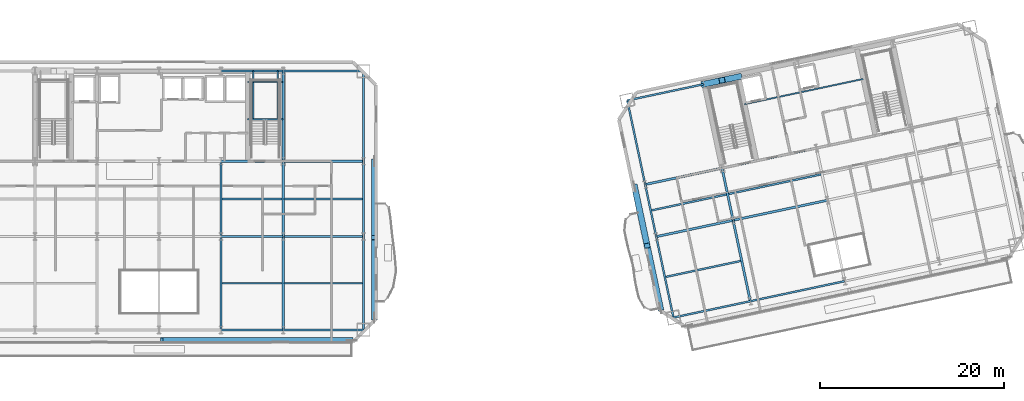
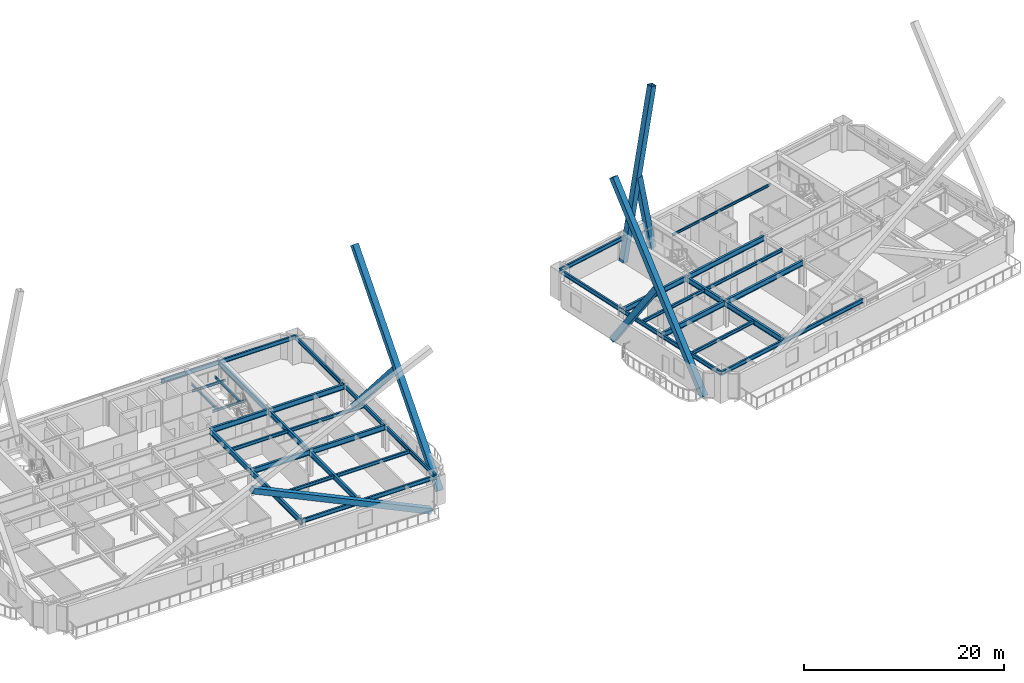
# One storey, part 5 of 22: 40 beams, 7 members.
"""IFC4 building model written with IfcOpenShell, lengths in metres."""

from ifc_helpers import new_model, si_unit, direction, frame, origin, origin_2d, place, context, subcontext, project, spatial, hollow_rectangle, i_section, extrude, material, material_profile, profile_set, type_object, element, save


model = new_model("IFC4")

# Units and contexts
model_context = context("Model", 3, precision=1e-05, world=origin(), true_north=direction((0.0, 1.0)))
body_context = subcontext(model_context, "Body", "Model", "MODEL_VIEW")
ifc_project = project(units=[si_unit("LENGTHUNIT", "METRE"), si_unit("AREAUNIT", "SQUARE_METRE"), si_unit("VOLUMEUNIT", "CUBIC_METRE"), si_unit("PLANEANGLEUNIT", "RADIAN"), si_unit("MASSUNIT", "GRAM", prefix="KILO")], contexts=[model_context])

# Site, building, storey
site_placement = place(None, origin())
site = spatial("IfcSite", under=ifc_project, at=site_placement, CompositionType="ELEMENT")
building_placement = place(site_placement, origin())
building = spatial("IfcBuilding", under=site, at=building_placement, Name="Haevon Station Towers", CompositionType="ELEMENT")
storey_placement = place(building_placement, frame((0.0, 0.0, 93.300048828125)))
storey = spatial("IfcBuildingStorey", under=building, at=storey_placement, Name="L24", CompositionType="ELEMENT", Elevation=93.300048828125)

# Beams
ifc_material_1 = material(Name="Steel S355", Category="steel")
ifc_material_profile_1 = material_profile(ifc_material_1, i_section(OverallWidth=0.25, OverallDepth=0.64990234375, WebThickness=0.012939453125, FlangeThickness=0.02197265625, at=origin_2d()), Name="H-650x250x13x22")
ifc_profile_set_1 = profile_set([ifc_material_profile_1], Name="Steel S355")
beam_type_1 = type_object("IfcBeamType", Name="BM-G650", PredefinedType="BEAM", material=ifc_profile_set_1)
beam_1_placement = place(storey_placement, frame((44.25, 30.0, 2.724853515625), z_axis=(1.0, 0.0, 0.0), x_axis=(0.0, 1.0, 0.0)))
element("IfcBeam", 1, at=beam_1_placement, inside=storey, type_object=beam_type_1, Name="BM-T1U-L24-02-05", PredefinedType="BEAM", context=body_context, shape_type="SweptSolid", body=[
    extrude(i_section(OverallWidth=0.25, OverallDepth=0.64990234375, WebThickness=0.012939453125, FlangeThickness=0.02197265625, at=origin_2d()), origin(), (0.0, 0.0, 1.0), 6.75),
])
beam_2_placement = place(storey_placement, frame((51.0, 30.0, 2.724853515625), z_axis=(1.0, 0.0, 0.0), x_axis=(0.0, 1.0, 0.0)))
element("IfcBeam", 2, at=beam_2_placement, inside=storey, type_object=beam_type_1, Name="BM-T1U-L24-02-06", PredefinedType="BEAM", context=body_context, shape_type="SweptSolid", body=[
    extrude(i_section(OverallWidth=0.25, OverallDepth=0.64990234375, WebThickness=0.012939453125, FlangeThickness=0.02197265625, at=origin_2d()), origin(), (0.0, 0.0, 1.0), 8.75),
])
beam_3_placement = place(storey_placement, frame((44.25, 38.199951171875, 2.724853515625), z_axis=(1.0, 0.0, 0.0), x_axis=(0.0, 1.0, 0.0)))
element("IfcBeam", 3, at=beam_3_placement, inside=storey, type_object=beam_type_1, Name="BM-T1U-L24-03-05", PredefinedType="BEAM", context=body_context, shape_type="SweptSolid", body=[
    extrude(i_section(OverallWidth=0.25, OverallDepth=0.64990234375, WebThickness=0.012939453125, FlangeThickness=0.02197265625, at=origin_2d()), origin(), (0.0, 0.0, 1.0), 6.75),
])
beam_4_placement = place(storey_placement, frame((51.0, 38.199951171875, 2.724853515625), z_axis=(1.0, 0.0, 0.0), x_axis=(0.0, 1.0, 0.0)))
element("IfcBeam", 4, at=beam_4_placement, inside=storey, type_object=beam_type_1, Name="BM-T1U-L24-03-06", PredefinedType="BEAM", context=body_context, shape_type="SweptSolid", body=[
    extrude(i_section(OverallWidth=0.25, OverallDepth=0.64990234375, WebThickness=0.012939453125, FlangeThickness=0.02197265625, at=origin_2d()), origin(), (0.0, 0.0, 1.0), 8.75),
])
beam_5_placement = place(storey_placement, frame((44.25, 19.85009765625, 2.724853515625), z_axis=(0.0, 1.0, 0.0), x_axis=(-1.0, 0.0, 0.0)))
element("IfcBeam", 5, at=beam_5_placement, inside=storey, type_object=beam_type_1, Name="BM-T1V-L24-05-01", PredefinedType="BEAM", context=body_context, shape_type="SweptSolid", body=[
    extrude(i_section(OverallWidth=0.25, OverallDepth=0.64990234375, WebThickness=0.012939453125, FlangeThickness=0.02197265625, at=origin_2d()), origin(), (0.0, 0.0, 1.0), 10.14990234375),
])
beam_6_placement = place(storey_placement, frame((44.25, 30.0, 2.724853515625), z_axis=(0.0, 1.0, 0.0), x_axis=(-1.0, 0.0, 0.0)))
element("IfcBeam", 6, at=beam_6_placement, inside=storey, type_object=beam_type_1, Name="BM-T1V-L24-05-02", PredefinedType="BEAM", context=body_context, shape_type="SweptSolid", body=[
    extrude(i_section(OverallWidth=0.25, OverallDepth=0.64990234375, WebThickness=0.012939453125, FlangeThickness=0.02197265625, at=origin_2d()), origin(), (0.0, 0.0, 1.0), 8.199951171875),
])
beam_7_placement = place(storey_placement, frame((51.0, 19.85009765625, 2.724853515625), z_axis=(0.0, 1.0, 0.0), x_axis=(-1.0, 0.0, 0.0)))
element("IfcBeam", 7, at=beam_7_placement, inside=storey, type_object=beam_type_1, Name="BM-T1V-L24-06-01", PredefinedType="BEAM", context=body_context, shape_type="SweptSolid", body=[
    extrude(i_section(OverallWidth=0.25, OverallDepth=0.64990234375, WebThickness=0.012939453125, FlangeThickness=0.02197265625, at=origin_2d()), origin(), (0.0, 0.0, 1.0), 10.14990234375),
])
beam_8_placement = place(storey_placement, frame((51.0, 30.0, 2.724853515625), z_axis=(0.0, 1.0, 0.0), x_axis=(-1.0, 0.0, 0.0)))
element("IfcBeam", 8, at=beam_8_placement, inside=storey, type_object=beam_type_1, Name="BM-T1V-L24-06-02", PredefinedType="BEAM", context=body_context, shape_type="SweptSolid", body=[
    extrude(i_section(OverallWidth=0.25, OverallDepth=0.64990234375, WebThickness=0.012939453125, FlangeThickness=0.02197265625, at=origin_2d()), origin(), (0.0, 0.0, 1.0), 8.199951171875),
])
beam_9_placement = place(storey_placement, frame((51.0, 38.199951171875, 2.724853515625), z_axis=(0.0, 1.0, 0.0), x_axis=(-1.0, 0.0, 0.0)))
element("IfcBeam", 9, at=beam_9_placement, inside=storey, type_object=beam_type_1, Name="BM-T1V-L24-06-03", PredefinedType="BEAM", context=body_context, shape_type="SweptSolid", body=[
    extrude(i_section(OverallWidth=0.25, OverallDepth=0.64990234375, WebThickness=0.012939453125, FlangeThickness=0.02197265625, at=origin_2d()), origin(), (0.0, 0.0, 1.0), 9.800048828125),
])
beam_10_placement = place(storey_placement, frame((91.594970703125, 29.991455078125, 2.724853515625), z_axis=(0.978149560998, 0.207902468287, 0.0), x_axis=(-0.207902468287, 0.978149560998, 0.0)))
element("IfcBeam", 10, at=beam_10_placement, inside=storey, type_object=beam_type_1, Name="BM-T2U-L24-02-01", PredefinedType="BEAM", context=body_context, shape_type="SweptSolid", body=[
    extrude(i_section(OverallWidth=0.25, OverallDepth=0.64990234375, WebThickness=0.012939453125, FlangeThickness=0.02197265625, at=origin_2d()), origin(), (0.0, 0.0, 1.0), 8.550048828125),
])
beam_11_placement = place(storey_placement, frame((99.958251953125, 31.76904296875, 2.724853515625), z_axis=(0.978146794194, 0.207915485254, 0.0), x_axis=(-0.207915485254, 0.978146794194, 0.0)))
element("IfcBeam", 11, at=beam_11_placement, inside=storey, type_object=beam_type_1, Name="BM-T2U-L24-02-02", PredefinedType="BEAM", context=body_context, shape_type="SweptSolid", body=[
    extrude(i_section(OverallWidth=0.25, OverallDepth=0.64990234375, WebThickness=0.012939453125, FlangeThickness=0.02197265625, at=origin_2d()), origin(), (0.0, 0.0, 1.0), 10.5),
])
beam_12_placement = place(storey_placement, frame((90.38916015625, 35.664794921875, 2.724853515625), z_axis=(0.978149560998, 0.207902468287, 0.0), x_axis=(-0.207902468287, 0.978149560998, 0.0)))
element("IfcBeam", 12, at=beam_12_placement, inside=storey, type_object=beam_type_1, Name="BM-T2U-L24-03-01", PredefinedType="BEAM", context=body_context, shape_type="SweptSolid", body=[
    extrude(i_section(OverallWidth=0.25, OverallDepth=0.64990234375, WebThickness=0.012939453125, FlangeThickness=0.02197265625, at=origin_2d()), origin(), (0.0, 0.0, 1.0), 8.550048828125),
])
beam_13_placement = place(storey_placement, frame((98.75244140625, 37.4423828125, 2.724853515625), z_axis=(0.978146794194, 0.207915485254, 0.0), x_axis=(-0.207915485254, 0.978146794194, 0.0)))
element("IfcBeam", 13, at=beam_13_placement, inside=storey, type_object=beam_type_1, Name="BM-T2U-L24-03-02", PredefinedType="BEAM", context=body_context, shape_type="SweptSolid", body=[
    extrude(i_section(OverallWidth=0.25, OverallDepth=0.64990234375, WebThickness=0.012939453125, FlangeThickness=0.02197265625, at=origin_2d()), origin(), (0.0, 0.0, 1.0), 10.5),
])
beam_14_placement = place(storey_placement, frame((101.829345703125, 22.9658203125, 2.724853515625), z_axis=(-0.20790223038, 0.978149611564, 0.0), x_axis=(-0.978149611564, -0.20790223038, 0.0)))
element("IfcBeam", 14, at=beam_14_placement, inside=storey, type_object=beam_type_1, Name="BM-T2V-L24-02-01", PredefinedType="BEAM", context=body_context, shape_type="SweptSolid", body=[
    extrude(i_section(OverallWidth=0.25, OverallDepth=0.64990234375, WebThickness=0.012939453125, FlangeThickness=0.02197265625, at=origin_2d()), origin(), (0.0, 0.0, 1.0), 8.999755859375),
])
beam_15_placement = place(storey_placement, frame((99.958251953125, 31.76904296875, 2.724853515625), z_axis=(-0.207896009217, 0.97815093383, 0.0), x_axis=(-0.97815093383, -0.207896009217, 0.0)))
element("IfcBeam", 15, at=beam_15_placement, inside=storey, type_object=beam_type_1, Name="BM-T2V-L24-02-02", PredefinedType="BEAM", context=body_context, shape_type="SweptSolid", body=[
    extrude(i_section(OverallWidth=0.25, OverallDepth=0.64990234375, WebThickness=0.012939453125, FlangeThickness=0.02197265625, at=origin_2d()), origin(), (0.0, 0.0, 1.0), 5.800048828125),
])
ifc_material_profile_2 = material_profile(ifc_material_1, i_section(OverallWidth=0.199951171875, OverallDepth=0.39990234375, WebThickness=0.008056640625, FlangeThickness=0.012939453125, at=origin_2d()), Name="H-400x200x8x13")
ifc_profile_set_2 = profile_set([ifc_material_profile_2], Name="Steel S355")
beam_type_2 = type_object("IfcBeamType", Name="BM-J400", PredefinedType="JOIST", material=ifc_profile_set_2)
beam_16_placement = place(storey_placement, frame((44.360107421875, 24.925048828125, 2.849853515625), z_axis=(1.0, 0.0, 0.0), x_axis=(0.0, 1.0, 0.0)))
element("IfcBeam", 16, at=beam_16_placement, inside=storey, type_object=beam_type_2, Name="BM-T1J-L24-01-05", PredefinedType="JOIST", context=body_context, shape_type="SweptSolid", body=[
    extrude(i_section(OverallWidth=0.199951171875, OverallDepth=0.39990234375, WebThickness=0.008056640625, FlangeThickness=0.012939453125, at=origin_2d()), origin(), (0.0, 0.0, 1.0), 6.52978515625),
])
beam_17_placement = place(storey_placement, frame((51.110107421875, 24.925048828125, 2.849853515625), z_axis=(1.0, 0.0, 0.0), x_axis=(0.0, 1.0, 0.0)))
element("IfcBeam", 17, at=beam_17_placement, inside=storey, type_object=beam_type_2, Name="BM-T1J-L24-01-06", PredefinedType="JOIST", context=body_context, shape_type="SweptSolid", body=[
    extrude(i_section(OverallWidth=0.199951171875, OverallDepth=0.39990234375, WebThickness=0.008056640625, FlangeThickness=0.012939453125, at=origin_2d()), origin(), (0.0, 0.0, 1.0), 8.52978515625),
])
beam_18_placement = place(storey_placement, frame((44.360107421875, 34.10009765625, 2.849853515625), z_axis=(1.0, 0.0, 0.0), x_axis=(0.0, 1.0, 0.0)))
element("IfcBeam", 18, at=beam_18_placement, inside=storey, type_object=beam_type_2, Name="BM-T1J-L24-02-05", PredefinedType="JOIST", context=body_context, shape_type="SweptSolid", body=[
    extrude(i_section(OverallWidth=0.199951171875, OverallDepth=0.39990234375, WebThickness=0.008056640625, FlangeThickness=0.012939453125, at=origin_2d()), origin(), (0.0, 0.0, 1.0), 6.52978515625),
])
beam_19_placement = place(storey_placement, frame((51.110107421875, 34.10009765625, 2.849853515625), z_axis=(1.0, 0.0, 0.0), x_axis=(0.0, 1.0, 0.0)))
element("IfcBeam", 19, at=beam_19_placement, inside=storey, type_object=beam_type_2, Name="BM-T1J-L24-02-06", PredefinedType="JOIST", context=body_context, shape_type="SweptSolid", body=[
    extrude(i_section(OverallWidth=0.199951171875, OverallDepth=0.39990234375, WebThickness=0.008056640625, FlangeThickness=0.012939453125, at=origin_2d()), origin(), (0.0, 0.0, 1.0), 8.52978515625),
])
beam_20_placement = place(storey_placement, frame((92.63818359375, 25.61279296875, 2.849853515625), z_axis=(0.978146782292, 0.207915541247, 0.0), x_axis=(-0.207915541247, 0.978146782292, 0.0)))
element("IfcBeam", 20, at=beam_20_placement, inside=storey, type_object=beam_type_2, Name="BM-T2J-L24-01-01", PredefinedType="JOIST", context=body_context, shape_type="SweptSolid", body=[
    extrude(i_section(OverallWidth=0.199951171875, OverallDepth=0.39990234375, WebThickness=0.008056640625, FlangeThickness=0.012939453125, at=origin_2d()), origin(), (0.0, 0.0, 1.0), 8.330078125),
])
beam_21_placement = place(storey_placement, frame((91.099609375, 32.85107421875, 2.849853515625), z_axis=(0.978148049217, 0.207909580858, 0.0), x_axis=(-0.207909580858, 0.978148049217, 0.0)))
element("IfcBeam", 21, at=beam_21_placement, inside=storey, type_object=beam_type_2, Name="BM-T2J-L24-02-01", PredefinedType="JOIST", context=body_context, shape_type="SweptSolid", body=[
    extrude(i_section(OverallWidth=0.199951171875, OverallDepth=0.39990234375, WebThickness=0.008056640625, FlangeThickness=0.012939453125, at=origin_2d()), origin(), (0.0, 0.0, 1.0), 8.330322265625),
])
beam_22_placement = place(storey_placement, frame((99.462890625, 34.628662109375, 2.849853515625), z_axis=(0.978150339653, 0.207898804801, 0.0), x_axis=(-0.207898804801, 0.978150339653, 0.0)))
element("IfcBeam", 22, at=beam_22_placement, inside=storey, type_object=beam_type_2, Name="BM-T2J-L24-02-02", PredefinedType="JOIST", context=body_context, shape_type="SweptSolid", body=[
    extrude(i_section(OverallWidth=0.199951171875, OverallDepth=0.39990234375, WebThickness=0.008056640625, FlangeThickness=0.012939453125, at=origin_2d()), origin(), (0.0, 0.0, 1.0), 10.280029296875),
])
ifc_material_profile_3 = material_profile(ifc_material_1, i_section(OverallWidth=0.14990234375, OverallDepth=0.300048828125, WebThickness=0.006591796875, FlangeThickness=0.009033203125, at=origin_2d()), Name="H-300x150x6.5x9")
ifc_profile_set_3 = profile_set([ifc_material_profile_3], Name="Steel S355")
beam_type_3 = type_object("IfcBeamType", Name="BM-LIN300", PredefinedType="LINTEL", material=ifc_profile_set_3)
for number, where, z_axis, x_axis, name in (
    (23, (47.14990234375, 42.743896484375, 1.300048828125), (1.0, 0.0, 0.0), (0.0, 1.0, 0.0), "BM-ST2L-L24-1-S"),
    (24, (47.14990234375, 46.820068359375, 1.300048828125), (1.0, 0.0, 0.0), (0.0, 1.0, 0.0), "BM-ST2L-L24-1-N"),
):
    element("IfcBeam", number, at=place(storey_placement, frame(where, z_axis=z_axis, x_axis=x_axis)), inside=storey, type_object=beam_type_3, Name=name, PredefinedType="LINTEL", context=body_context, shape_type="SweptSolid", body=[
        extrude(i_section(OverallWidth=0.14990234375, OverallDepth=0.300048828125, WebThickness=0.006591796875, FlangeThickness=0.009033203125, at=origin_2d()), origin(), (0.0, 0.0, 1.0), 3.85009765625),
    ])
for number, where, z_axis, x_axis, name in (
    (25, (47.75, 42.743896484375, 1.300048828125), (0.0, 1.0, 0.0), (-1.0, 0.0, 0.0), "BM-ST2L-L24-1-W"),
    (26, (50.39990234375, 42.743896484375, 1.300048828125), (0.0, 1.0, 0.0), (-1.0, 0.0, 0.0), "BM-ST2L-L24-1-E"),
):
    element("IfcBeam", number, at=place(storey_placement, frame(where, z_axis=z_axis, x_axis=x_axis)), inside=storey, type_object=beam_type_3, Name=name, PredefinedType="LINTEL", context=body_context, shape_type="SweptSolid", body=[
        extrude(i_section(OverallWidth=0.14990234375, OverallDepth=0.300048828125, WebThickness=0.006591796875, FlangeThickness=0.009033203125, at=origin_2d()), origin(), (0.0, 0.0, 1.0), 5.256103515625),
    ])
beam_23_placement = place(storey_placement, frame((101.20849609375, 44.4052734375, 2.89990234375), z_axis=(0.978147802964, 0.207910739399, 0.0), x_axis=(-0.207910739399, 0.978147802964, 0.0)))
element("IfcBeam", 27, at=beam_23_placement, inside=storey, type_object=beam_type_3, Name="BM-T2LIN-L24", PredefinedType="LINTEL", context=body_context, shape_type="SweptSolid", body=[
    extrude(i_section(OverallWidth=0.14990234375, OverallDepth=0.300048828125, WebThickness=0.006591796875, FlangeThickness=0.009033203125, at=origin_2d()), origin(), (0.0, 0.0, 1.0), 13.19970703125),
])
ifc_material_profile_4 = material_profile(ifc_material_1, i_section(OverallWidth=0.199951171875, OverallDepth=0.5, WebThickness=0.010009765625, FlangeThickness=0.01611328125, at=origin_2d()), Name="H-500x200x10x16")
ifc_profile_set_4 = profile_set([ifc_material_profile_4], Name="Steel S355")
beam_type_4 = type_object("IfcBeamType", Name="BM-SP500", PredefinedType="SPANDREL", material=ifc_profile_set_4)
beam_24_placement = place(storey_placement, frame((44.25, 19.85009765625, 2.800048828125), z_axis=(1.0, 0.0, 0.0), x_axis=(0.0, 1.0, 0.0)))
element("IfcBeam", 28, at=beam_24_placement, inside=storey, type_object=beam_type_4, Name="BM-T1U-L24-01-05", PredefinedType="SPANDREL", context=body_context, shape_type="SweptSolid", body=[
    extrude(i_section(OverallWidth=0.199951171875, OverallDepth=0.5, WebThickness=0.010009765625, FlangeThickness=0.01611328125, at=origin_2d()), origin(), (0.0, 0.0, 1.0), 6.75),
])
beam_25_placement = place(storey_placement, frame((51.0, 19.85009765625, 2.800048828125), z_axis=(1.0, 0.0, 0.0), x_axis=(0.0, 1.0, 0.0)))
element("IfcBeam", 29, at=beam_25_placement, inside=storey, type_object=beam_type_4, Name="BM-T1U-L24-01-06", PredefinedType="SPANDREL", context=body_context, shape_type="SweptSolid", body=[
    extrude(i_section(OverallWidth=0.199951171875, OverallDepth=0.5, WebThickness=0.010009765625, FlangeThickness=0.01611328125, at=origin_2d()), origin(), (0.0, 0.0, 1.0), 8.75),
])
beam_26_placement = place(storey_placement, frame((44.25, 48.0, 2.800048828125), z_axis=(1.0, 0.0, 0.0), x_axis=(0.0, 1.0, 0.0)))
element("IfcBeam", 30, at=beam_26_placement, inside=storey, type_object=beam_type_4, Name="BM-T1U-L24-04-05", PredefinedType="SPANDREL", context=body_context, shape_type="SweptSolid", body=[
    extrude(i_section(OverallWidth=0.199951171875, OverallDepth=0.5, WebThickness=0.010009765625, FlangeThickness=0.01611328125, at=origin_2d()), origin(), (0.0, 0.0, 1.0), 6.75),
])
beam_27_placement = place(storey_placement, frame((51.0, 48.0, 2.800048828125), z_axis=(1.0, 0.0, 0.0), x_axis=(0.0, 1.0, 0.0)))
element("IfcBeam", 31, at=beam_27_placement, inside=storey, type_object=beam_type_4, Name="BM-T1U-L24-04-06", PredefinedType="SPANDREL", context=body_context, shape_type="SweptSolid", body=[
    extrude(i_section(OverallWidth=0.199951171875, OverallDepth=0.5, WebThickness=0.010009765625, FlangeThickness=0.01611328125, at=origin_2d()), origin(), (0.0, 0.0, 1.0), 8.75),
])
beam_28_placement = place(storey_placement, frame((59.75, 19.85009765625, 2.800048828125), z_axis=(0.0, 1.0, 0.0), x_axis=(-1.0, 0.0, 0.0)))
element("IfcBeam", 32, at=beam_28_placement, inside=storey, type_object=beam_type_4, Name="BM-T1V-L24-07-01", PredefinedType="SPANDREL", context=body_context, shape_type="SweptSolid", body=[
    extrude(i_section(OverallWidth=0.199951171875, OverallDepth=0.5, WebThickness=0.010009765625, FlangeThickness=0.01611328125, at=origin_2d()), origin(), (0.0, 0.0, 1.0), 10.14990234375),
])
beam_29_placement = place(storey_placement, frame((59.75, 30.0, 2.800048828125), z_axis=(0.0, 1.0, 0.0), x_axis=(-1.0, 0.0, 0.0)))
element("IfcBeam", 33, at=beam_29_placement, inside=storey, type_object=beam_type_4, Name="BM-T1V-L24-07-02", PredefinedType="SPANDREL", context=body_context, shape_type="SweptSolid", body=[
    extrude(i_section(OverallWidth=0.199951171875, OverallDepth=0.5, WebThickness=0.010009765625, FlangeThickness=0.01611328125, at=origin_2d()), origin(), (0.0, 0.0, 1.0), 8.199951171875),
])
beam_30_placement = place(storey_placement, frame((59.75, 38.199951171875, 2.800048828125), z_axis=(0.0, 1.0, 0.0), x_axis=(-1.0, 0.0, 0.0)))
element("IfcBeam", 34, at=beam_30_placement, inside=storey, type_object=beam_type_4, Name="BM-T1V-L24-07-03", PredefinedType="SPANDREL", context=body_context, shape_type="SweptSolid", body=[
    extrude(i_section(OverallWidth=0.199951171875, OverallDepth=0.5, WebThickness=0.010009765625, FlangeThickness=0.01611328125, at=origin_2d()), origin(), (0.0, 0.0, 1.0), 9.800048828125),
])
beam_31_placement = place(storey_placement, frame((93.46630859375, 21.188232421875, 2.800048828125), z_axis=(0.978148326739, 0.2079082752, 0.0), x_axis=(-0.2079082752, 0.978148326739, 0.0)))
element("IfcBeam", 35, at=beam_31_placement, inside=storey, type_object=beam_type_4, Name="BM-T2U-L24-01-01", PredefinedType="SPANDREL", context=body_context, shape_type="SweptSolid", body=[
    extrude(i_section(OverallWidth=0.199951171875, OverallDepth=0.5, WebThickness=0.010009765625, FlangeThickness=0.01611328125, at=origin_2d()), origin(), (0.0, 0.0, 1.0), 8.5498046875),
])
beam_32_placement = place(storey_placement, frame((101.829345703125, 22.9658203125, 2.800048828125), z_axis=(0.978147799298, 0.207910756646, 0.0), x_axis=(-0.207910756646, 0.978147799298, 0.0)))
element("IfcBeam", 36, at=beam_32_placement, inside=storey, type_object=beam_type_4, Name="BM-T2U-L24-01-02", PredefinedType="SPANDREL", context=body_context, shape_type="SweptSolid", body=[
    extrude(i_section(OverallWidth=0.199951171875, OverallDepth=0.5, WebThickness=0.010009765625, FlangeThickness=0.01611328125, at=origin_2d()), origin(), (0.0, 0.0, 1.0), 10.500244140625),
])
beam_33_placement = place(storey_placement, frame((88.4453125, 44.810546875, 2.800048828125), z_axis=(0.978148326739, 0.2079082752, 0.0), x_axis=(-0.2079082752, 0.978148326739, 0.0)))
element("IfcBeam", 37, at=beam_33_placement, inside=storey, type_object=beam_type_4, Name="BM-T2U-L24-04-01", PredefinedType="SPANDREL", context=body_context, shape_type="SweptSolid", body=[
    extrude(i_section(OverallWidth=0.199951171875, OverallDepth=0.5, WebThickness=0.010009765625, FlangeThickness=0.01611328125, at=origin_2d()), origin(), (0.0, 0.0, 1.0), 8.5498046875),
])
beam_34_placement = place(storey_placement, frame((93.46630859375, 21.188232421875, 2.800048828125), z_axis=(-0.207928184753, 0.978144094694, 0.0), x_axis=(-0.978144094694, -0.207928184753, 0.0)))
element("IfcBeam", 38, at=beam_34_placement, inside=storey, type_object=beam_type_4, Name="BM-T2V-L24-01-01", PredefinedType="SPANDREL", context=body_context, shape_type="SweptSolid", body=[
    extrude(i_section(OverallWidth=0.199951171875, OverallDepth=0.5, WebThickness=0.010009765625, FlangeThickness=0.01611328125, at=origin_2d()), origin(), (0.0, 0.0, 1.0), 9.0),
])
beam_35_placement = place(storey_placement, frame((91.594970703125, 29.991455078125, 2.800048828125), z_axis=(-0.207896009217, 0.97815093383, 0.0), x_axis=(-0.97815093383, -0.207896009217, 0.0)))
element("IfcBeam", 39, at=beam_35_placement, inside=storey, type_object=beam_type_4, Name="BM-T2V-L24-01-02", PredefinedType="SPANDREL", context=body_context, shape_type="SweptSolid", body=[
    extrude(i_section(OverallWidth=0.199951171875, OverallDepth=0.5, WebThickness=0.010009765625, FlangeThickness=0.01611328125, at=origin_2d()), origin(), (0.0, 0.0, 1.0), 5.800048828125),
])
beam_36_placement = place(storey_placement, frame((90.38916015625, 35.664794921875, 2.800048828125), z_axis=(-0.207897167074, 0.978150687738, 0.0), x_axis=(-0.978150687738, -0.207897167074, 0.0)))
element("IfcBeam", 40, at=beam_36_placement, inside=storey, type_object=beam_type_4, Name="BM-T2V-L24-01-03", PredefinedType="SPANDREL", context=body_context, shape_type="SweptSolid", body=[
    extrude(i_section(OverallWidth=0.199951171875, OverallDepth=0.5, WebThickness=0.010009765625, FlangeThickness=0.01611328125, at=origin_2d()), origin(), (0.0, 0.0, 1.0), 9.35009765625),
])

# Members
ifc_material_2 = material(Name="Steel S460", Category="steel")
ifc_material_profile_5 = material_profile(ifc_material_2, hollow_rectangle(XDim=0.64990234375, YDim=0.64990234375, WallThickness=0.031982421875, at=origin_2d()), Name="RHS-650x650x32")
ifc_profile_set_5 = profile_set([ifc_material_profile_5], Name="Steel S460")
member_type = type_object("IfcMemberType", Name="MB-650", PredefinedType="BRACE", material=ifc_profile_set_5)
member_1_placement = place(storey_placement, frame((58.449951171875, 18.679931640625, -0.1201171875), z_axis=(-0.904382924431, 0.0, 0.426721836794), x_axis=(0.0, -1.0, 0.0)))
element("IfcMember", 41, at=member_1_placement, inside=storey, type_object=member_type, Name="BR-T1MB-T03-S-D2A", PredefinedType="BRACE", context=body_context, shape_type="SweptSolid", body=[
    extrude(hollow_rectangle(XDim=0.64990234375, YDim=0.64990234375, WallThickness=0.031982421875, at=origin_2d()), origin(), (0.0, 0.0, 1.0), 22.828125),
])
member_2_placement = place(storey_placement, frame((60.919921875, 21.14990234375, -0.1201171875), z_axis=(0.0, 0.653091857215, 0.757278697733), x_axis=(-1.0, 0.0, 0.0)))
element("IfcMember", 42, at=member_2_placement, inside=storey, type_object=member_type, Name="BR-T1MB-T03-E-D1", PredefinedType="BRACE", context=body_context, shape_type="SweptSolid", body=[
    extrude(hollow_rectangle(XDim=0.64990234375, YDim=0.64990234375, WallThickness=0.031982421875, at=origin_2d()), origin(), (0.0, 0.0, 1.0), 26.106689453125),
])
member_3_placement = place(storey_placement, frame((60.919921875, 38.199951171875, -0.1201171875), z_axis=(0.0, -0.653088865752, 0.757281277618), x_axis=(1.0, 0.0, 0.0)))
element("IfcMember", 43, at=member_3_placement, inside=storey, type_object=member_type, Name="BR-T1MB-T03-E-D2A", PredefinedType="BRACE", context=body_context, shape_type="SweptSolid", body=[
    extrude(hollow_rectangle(XDim=0.64990234375, YDim=0.64990234375, WallThickness=0.031982421875, at=origin_2d()), origin(), (0.0, 0.0, 1.0), 12.71630859375),
])
member_4_placement = place(storey_placement, frame((96.808349609375, 46.588134765625, -0.1201171875), z_axis=(0.186971496987, 0.039745837188, 0.981560964862), x_axis=(-0.207930804564, 0.978143537786, 0.0)))
element("IfcMember", 44, at=member_4_placement, inside=storey, type_object=member_type, Name="BR-T2MB-T03-N-D1", PredefinedType="BRACE", context=body_context, shape_type="SweptSolid", body=[
    extrude(hollow_rectangle(XDim=0.64990234375, YDim=0.64990234375, WallThickness=0.031982421875, at=origin_2d()), origin(), (0.0, 0.0, 1.0), 20.141357421875),
])
member_5_placement = place(storey_placement, frame((100.57421875, 47.388671875, -0.1201171875), z_axis=(-0.186961881869, -0.039755109037, 0.981562420854), x_axis=(0.207987445709, -0.978131495468, 0.0)))
element("IfcMember", 45, at=member_5_placement, inside=storey, type_object=member_type, Name="BR-T2MB-T03-N-D2A", PredefinedType="BRACE", context=body_context, shape_type="SweptSolid", body=[
    extrude(hollow_rectangle(XDim=0.64990234375, YDim=0.64990234375, WallThickness=0.031982421875, at=origin_2d()), origin(), (0.0, 0.0, 1.0), 9.733642578125),
])
member_6_placement = place(storey_placement, frame((92.051513671875, 22.216552734375, -0.1201171875), z_axis=(-0.117238353731, 0.551599519535, 0.825828758559), x_axis=(-0.978150393226, -0.207898552739, 0.0)))
element("IfcMember", 46, at=member_6_placement, inside=storey, type_object=member_type, Name="BR-T2MB-T03-W-D1", PredefinedType="BRACE", context=body_context, shape_type="SweptSolid", body=[
    extrude(hollow_rectangle(XDim=0.64990234375, YDim=0.64990234375, WallThickness=0.031982421875, at=origin_2d()), origin(), (0.0, 0.0, 1.0), 23.939697265625),
])
member_7_placement = place(storey_placement, frame((89.244873046875, 35.421630859375, -0.1201171875), z_axis=(0.11723442742, -0.551606239866, 0.825824827169), x_axis=(0.978152324116, 0.207889467812, 0.0)))
element("IfcMember", 47, at=member_7_placement, inside=storey, type_object=member_type, Name="BR-T2MB-T03-W-D2A", PredefinedType="BRACE", context=body_context, shape_type="SweptSolid", body=[
    extrude(hollow_rectangle(XDim=0.64990234375, YDim=0.64990234375, WallThickness=0.031982421875, at=origin_2d()), origin(), (0.0, 0.0, 1.0), 11.6328125),
])

save(model, "model.ifc")
